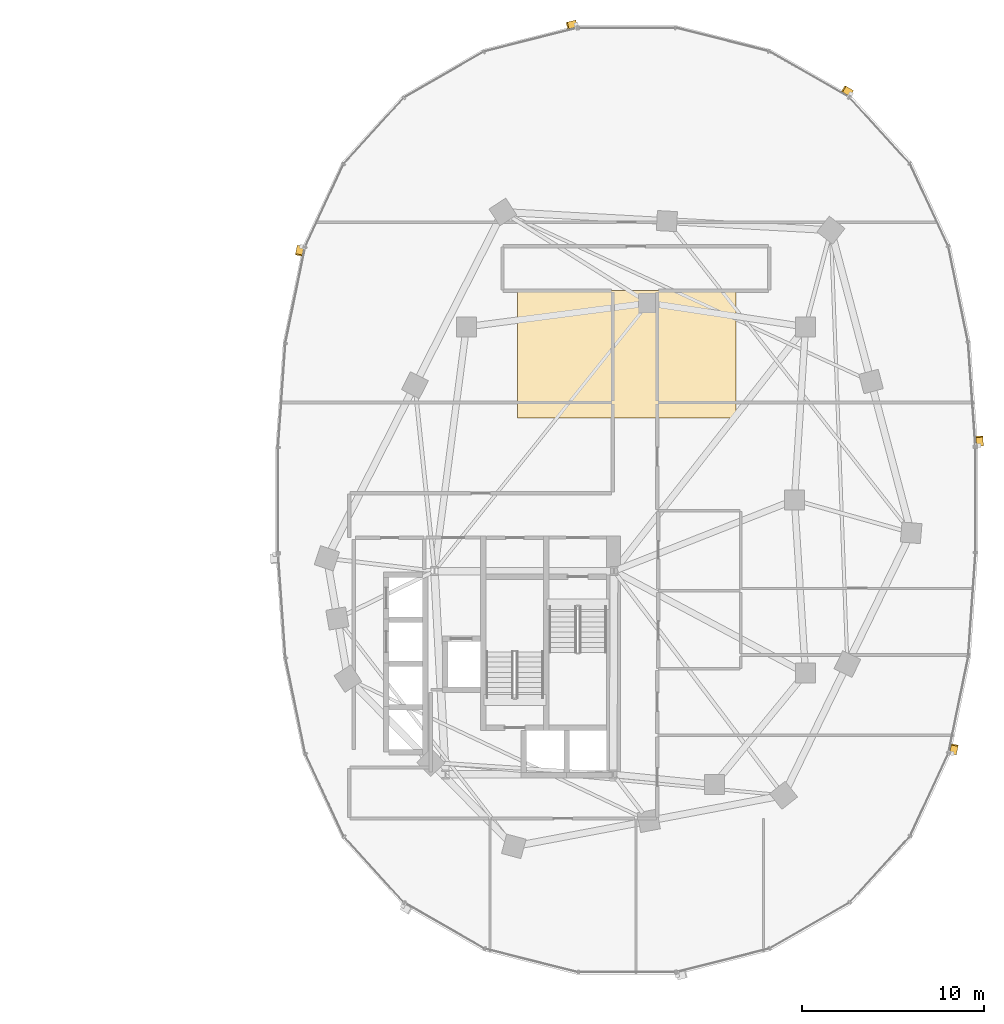
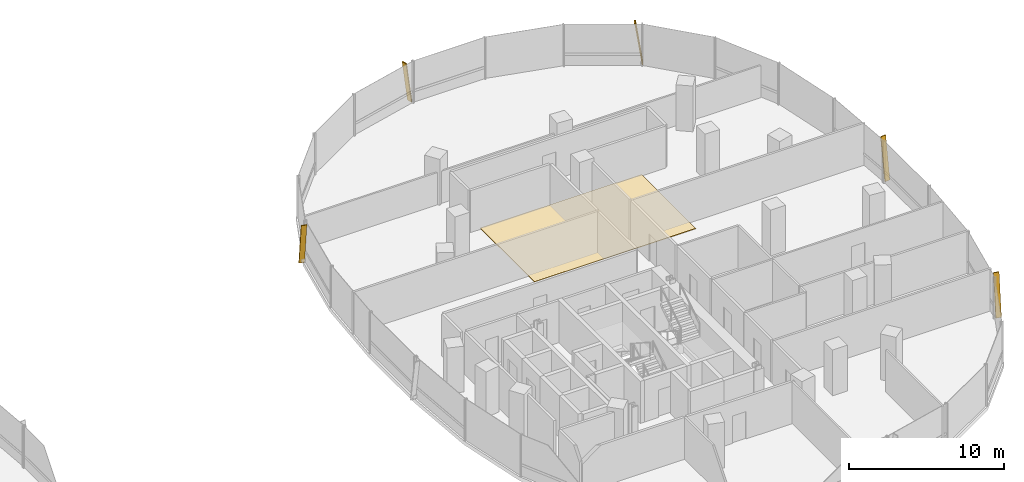
# One storey, part 21 of 21: 5 shading devices, 1 covering.
"""IFC4 building model written with IfcOpenShell, lengths in metres."""

from ifc_helpers import new_model, si_unit, direction, frame, origin, origin_2d, place, context, subcontext, project, spatial, polyline, rectangle, outline, extrude, material, layer, layer_set, material_profile, profile_set, type_object, element, save


model = new_model("IFC4")

# Units and contexts
model_context = context("Model", 3, precision=1e-05, world=origin(), true_north=direction((0.0, 1.0)))
body_context = subcontext(model_context, "Body", "Model", "MODEL_VIEW")
ifc_project = project(units=[si_unit("LENGTHUNIT", "METRE"), si_unit("AREAUNIT", "SQUARE_METRE"), si_unit("VOLUMEUNIT", "CUBIC_METRE"), si_unit("PLANEANGLEUNIT", "RADIAN"), si_unit("MASSUNIT", "GRAM", prefix="KILO"), si_unit("THERMODYNAMICTEMPERATUREUNIT", "KELVIN"), si_unit("POWERUNIT", "WATT")], contexts=[model_context])

# Site, building, storey
site_placement = place(None, origin())
site = spatial("IfcSite", under=ifc_project, at=site_placement, CompositionType="ELEMENT")
building_placement = place(site_placement, origin())
building = spatial("IfcBuilding", under=site, at=building_placement, Name="Cundina Bronze Exchange", CompositionType="ELEMENT")
storey_placement = place(building_placement, frame((0.0, 0.0, 114.199951171875)))
storey = spatial("IfcBuildingStorey", under=building, at=storey_placement, Name="L29", CompositionType="ELEMENT", Elevation=114.199951171875)

# Covering
ifc_material_1 = material(Name="Raised Access Steel-Cementitious Floor Panel 40mm", Category="steel")
ifc_layer = layer(ifc_material_1, 0.0400390625, Name="Raised Access Steel-Cementitious Floor Panel 40mm", Category="steel")
ifc_layer_set = layer_set([ifc_layer], Name="Raised Access Steel-Cementitious Floor Panel 40mm")
covering_type = type_object("IfcCoveringType", Name="COV-FLR-RAF40", PredefinedType="FLOORING", material=ifc_layer_set)
covering_placement = place(storey_placement, origin())
element("IfcCovering", 1, at=covering_placement, inside=storey, type_object=covering_type, Name="L29 E UFAD Raised Access Trading Floor", PredefinedType="FLOORING", context=body_context, shape_type="SweptSolid", body=[
    extrude(outline(polyline([(26.0, 4.5), (38.0, 4.5), (38.0, 11.5), (26.0, 11.5), (26.0, 4.5)])), origin(), (0.0, 0.0, 1.0), 0.0400390625),
])

# Shading devices
ifc_material_2 = material(Name="Anodised Bronze Aluminium 6063-T6", Category="aluminium")
ifc_material_profile = material_profile(ifc_material_2, rectangle(XDim=0.070068359375, YDim=0.3798828125, at=origin_2d()), Name="FIN70X380", Category="aluminium")
ifc_profile_set = profile_set([ifc_material_profile], Name="Anodised Bronze Aluminium 6063-T6")
shading_device_type = type_object("IfcShadingDeviceType", Name="SHD-FIN-BRZ380", PredefinedType="USERDEFINED", material=ifc_profile_set)
for number, where, z_axis, x_axis, name in (
    (2, (51.3740234375, 2.993896484375, 0.02001953125), (-0.010224545828, 0.145292278041, 0.989335945271), (0.069450050635, -0.986895284755, 0.145651595925), "L29 Diagonal Bronze Solar Fin 1"),
    (3, (44.314208984375, 22.314208984375, 0.02001953125), (-0.126324692219, 0.072534823274, 0.989333498649), (0.857958278167, -0.492634108109, 0.145668213594), "L29 Diagonal Bronze Solar Fin 5"),
    (4, (29.212646484375, 26.138427734375, 0.02001953125), (-0.141217047268, -0.035711761166, 0.989334329575), (0.95914051701, 0.242552848478, 0.145662570088), "L29 Diagonal Bronze Solar Fin 1"),
    (5, (14.10400390625, 13.911865234375, 0.02001953125), (-0.029413888538, -0.142698109128, 0.989329102378), (0.199728220342, 0.968958570224, 0.145698068578), "L29 Diagonal Bronze Solar Fin 5"),
    (6, (49.89599609375, -13.911865234375, 0.02001953125), (0.029413888538, 0.142698109128, 0.989329102378), (-0.199728220342, -0.968958570224, 0.145698068578), "L29 Diagonal Bronze Solar Fin 5"),
):
    element("IfcShadingDevice", number, at=place(storey_placement, frame(where, z_axis=z_axis, x_axis=x_axis)), inside=storey, type_object=shading_device_type, Name=name, ObjectType="FIN", PredefinedType="USERDEFINED", context=body_context, shape_type="SweptSolid", body=[
        extrude(rectangle(XDim=0.070068359375, YDim=0.3798828125, at=origin_2d()), origin(), (0.0, 0.0, 1.0), 3.295166015625),
    ])

save(model, "model.ifc")
